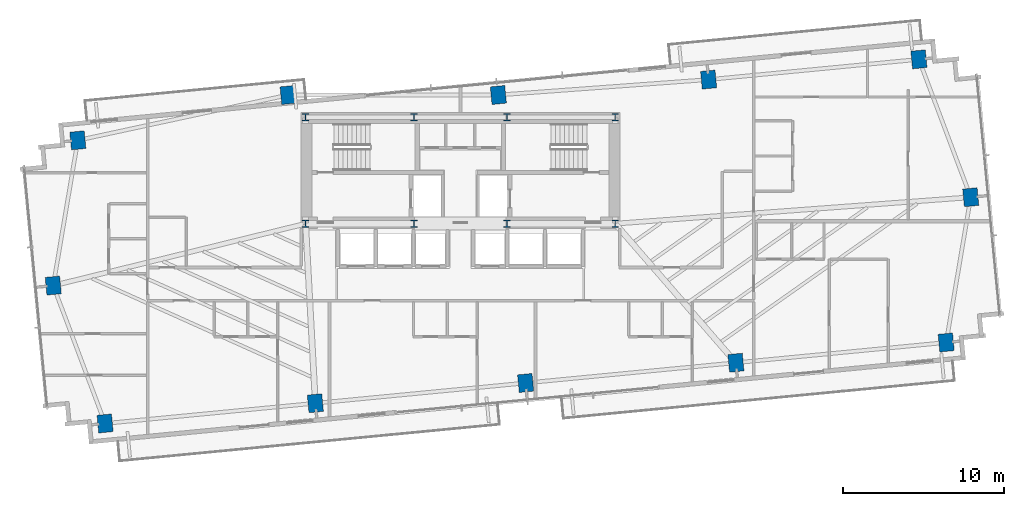
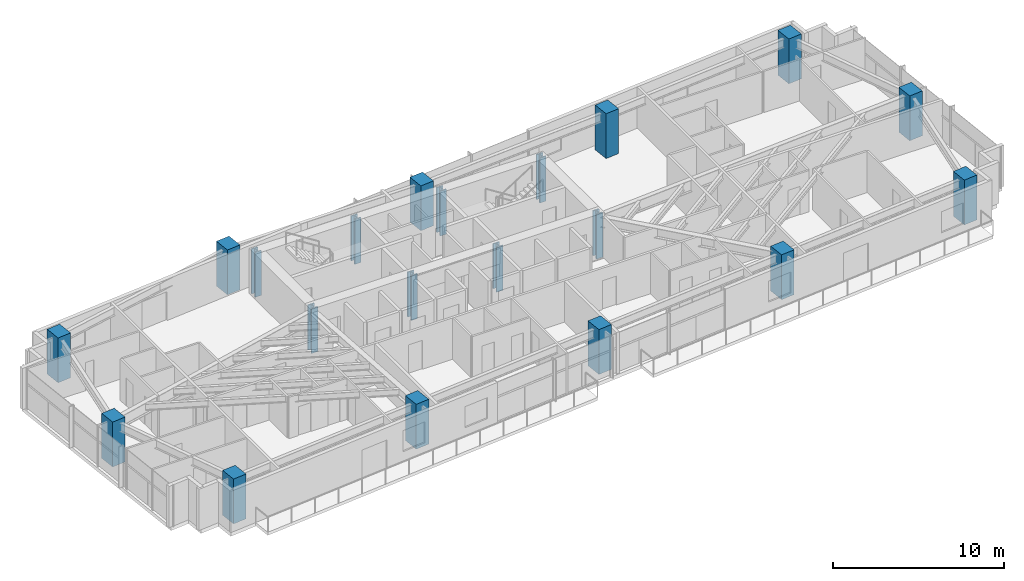
# One storey, part 1 of 27: 20 columns.
"""IFC4 building model written with IfcOpenShell, lengths in metres."""

from ifc_helpers import new_model, si_unit, direction, frame, origin, origin_2d, place, context, subcontext, project, spatial, rectangle, i_section, extrude, source, transform, mapped, material, material_profile, profile_set, type_object, type_shapes, element, save


model = new_model("IFC4")

# Units and contexts
model_context = context("Model", 3, precision=1e-05, world=origin(), true_north=direction((0.0, 1.0)))
body_context = subcontext(model_context, "Body", "Model", "MODEL_VIEW")
ifc_project = project(units=[si_unit("LENGTHUNIT", "METRE"), si_unit("AREAUNIT", "SQUARE_METRE"), si_unit("VOLUMEUNIT", "CUBIC_METRE"), si_unit("PLANEANGLEUNIT", "RADIAN"), si_unit("MASSUNIT", "GRAM", prefix="KILO")], contexts=[model_context])

# Site, building, storey
site_placement = place(None, origin())
site = spatial("IfcSite", under=ifc_project, at=site_placement, CompositionType="ELEMENT")
building_placement = place(site_placement, origin())
building = spatial("IfcBuilding", under=site, at=building_placement, Name="Astriad Promenade Condominiums", CompositionType="ELEMENT")
storey_placement = place(building_placement, frame((0.0, 0.0, 97.0)))
storey = spatial("IfcBuildingStorey", under=building, at=storey_placement, Name="L27", CompositionType="ELEMENT", Elevation=97.0)

# Columns
ifc_material_1 = material(Name="Steel ASTM A992 Grade 50", Category="steel")
ifc_material_profile_1 = material_profile(ifc_material_1, i_section(OverallWidth=0.427490234375, OverallDepth=0.483154296875, WebThickness=0.05126953125, FlangeThickness=0.08154296875, FilletRadius=0.017822265625, at=origin_2d()), Name="W14X455")
ifc_profile_set_1 = profile_set([ifc_material_profile_1], Name="Steel ASTM A992 Grade 50")
column_type_1 = type_object("IfcColumnType", Name="STEEL CORE PILASTER W14X455", PredefinedType="PILASTER", material=ifc_profile_set_1)
shared_shape_1 = source(origin(), body_context, "Body", "SweptSolid", [
    extrude(i_section(OverallWidth=0.427490234375, OverallDepth=0.483154296875, WebThickness=0.05126953125, FlangeThickness=0.08154296875, FilletRadius=0.017822265625, at=origin_2d()), origin(), (0.0, 0.0, 1.0), 3.196044921875),
])
type_shapes(column_type_1, [shared_shape_1])
for number, where, z_axis, x_axis, name in (
    (1, (26.39990234375, 17.39990234375, 0.001953125), (0.0, 0.0, 1.0), (1.0, 0.0, 0.0), "Core Pilaster Column CP1 (L27)"),
    (2, (33.1201171875, 17.39990234375, 0.001953125), (0.0, 0.0, 1.0), (1.0, 0.0, 0.0), "Core Pilaster Column CP2 (L27)"),
    (3, (38.8798828125, 17.39990234375, 0.001953125), (0.0, 0.0, 1.0), (1.0, 0.0, 0.0), "Core Pilaster Column CP3 (L27)"),
    (4, (45.60009765625, 17.39990234375, 0.001953125), (0.0, 0.0, 1.0), (1.0, 0.0, 0.0), "Core Pilaster Column CP4 (L27)"),
    (5, (26.39990234375, 24.0, 0.001953125), (0.0, 0.0, 1.0), (1.0, 0.0, 0.0), "Core Pilaster Column CP5 (L27)"),
    (6, (33.1201171875, 24.0, 0.001953125), (0.0, 0.0, 1.0), (1.0, 0.0, 0.0), "Core Pilaster Column CP6 (L27)"),
    (7, (38.8798828125, 24.0, 0.001953125), (0.0, 0.0, 1.0), (1.0, 0.0, 0.0), "Core Pilaster Column CP7 (L27)"),
    (8, (45.60009765625, 24.0, 0.001953125), (0.0, 0.0, 1.0), (1.0, 0.0, 0.0), "Core Pilaster Column CP8 (L27)"),
):
    element("IfcColumn", number, at=place(storey_placement, frame(where, z_axis=z_axis, x_axis=x_axis)), inside=storey, type_object=column_type_1, Name=name, PredefinedType="PILASTER", context=body_context, shape_type="MappedRepresentation", body=[
        mapped(shared_shape_1, transform((0.0, 0.0, 0.0), scale=1.0)),
    ])
ifc_material_2 = material(Name="Concrete C60/75", Category="concrete")
ifc_material_profile_2 = material_profile(ifc_material_2, rectangle(XDim=0.89990234375, YDim=1.10009765625, at=origin_2d()), Name="RC-COL-1100X900")
ifc_profile_set_2 = profile_set([ifc_material_profile_2], Name="Concrete C60/75")
column_type_2 = type_object("IfcColumnType", Name="CONCRETE TOWER COLUMN 1100X900", PredefinedType="COLUMN", material=ifc_profile_set_2)
shared_shape_2 = source(origin(), body_context, "Body", "SweptSolid", [
    extrude(rectangle(XDim=0.89990234375, YDim=1.10009765625, at=origin_2d()), origin(), (0.0, 0.0, 1.0), 3.196044921875),
])
type_shapes(column_type_2, [shared_shape_2])
for number, where, z_axis, x_axis, name in (
    (9, (13.966064453125, 5.009521484375, 0.001953125), (0.0, 0.0, 1.0), (0.995396198367, 0.09584575252, 0.0), "Perimeter Column PC01 (L27)"),
    (10, (27.005615234375, 6.264892578125, 0.001953125), (0.0, 0.0, 1.0), (0.995396198367, 0.09584575252, 0.0), "Perimeter Column PC02 (L27)"),
    (11, (40.04541015625, 7.5205078125, 0.001953125), (0.0, 0.0, 1.0), (0.995396198367, 0.09584575252, 0.0), "Perimeter Column PC03 (L27)"),
    (12, (53.0849609375, 8.776123046875, 0.001953125), (0.0, 0.0, 1.0), (0.995396198367, 0.09584575252, 0.0), "Perimeter Column PC04 (L27)"),
    (13, (66.124755859375, 10.03173828125, 0.001953125), (0.0, 0.0, 1.0), (0.995396198367, 0.09584575252, 0.0), "Perimeter Column PC05 (L27)"),
    (14, (12.275390625, 22.568115234375, 0.001953125), (0.0, 0.0, 1.0), (0.995396198367, 0.09584575252, 0.0), "Perimeter Column PC06 (L27)"),
    (15, (25.31494140625, 25.3798828125, 0.001953125), (0.0, 0.0, 1.0), (0.995396198367, 0.09584575252, 0.0), "Perimeter Column PC07 (L27)"),
    (16, (38.3544921875, 25.3798828125, 0.001953125), (0.0, 0.0, 1.0), (0.995396198367, 0.09584575252, 0.0), "Perimeter Column PC08 (L27)"),
    (17, (51.394287109375, 26.3349609375, 0.001953125), (0.0, 0.0, 1.0), (0.995396198367, 0.09584575252, 0.0), "Perimeter Column PC09 (L27)"),
    (18, (64.43408203125, 27.590576171875, 0.001953125), (0.0, 0.0, 1.0), (0.995396198367, 0.09584575252, 0.0), "Perimeter Column PC10 (L27)"),
    (19, (10.751708984375, 13.560791015625, 0.001953125), (0.0, 0.0, 1.0), (0.995396198367, 0.09584575252, 0.0), "Perimeter Column PC11 (L27)"),
    (20, (67.6484375, 19.039306640625, 0.001953125), (0.0, 0.0, 1.0), (0.995396198367, 0.09584575252, 0.0), "Perimeter Column PC12 (L27)"),
):
    element("IfcColumn", number, at=place(storey_placement, frame(where, z_axis=z_axis, x_axis=x_axis)), inside=storey, type_object=column_type_2, Name=name, PredefinedType="COLUMN", context=body_context, shape_type="MappedRepresentation", body=[
        mapped(shared_shape_2, transform((0.0, 0.0, 0.0), scale=1.0)),
    ])

save(model, "model.ifc")
